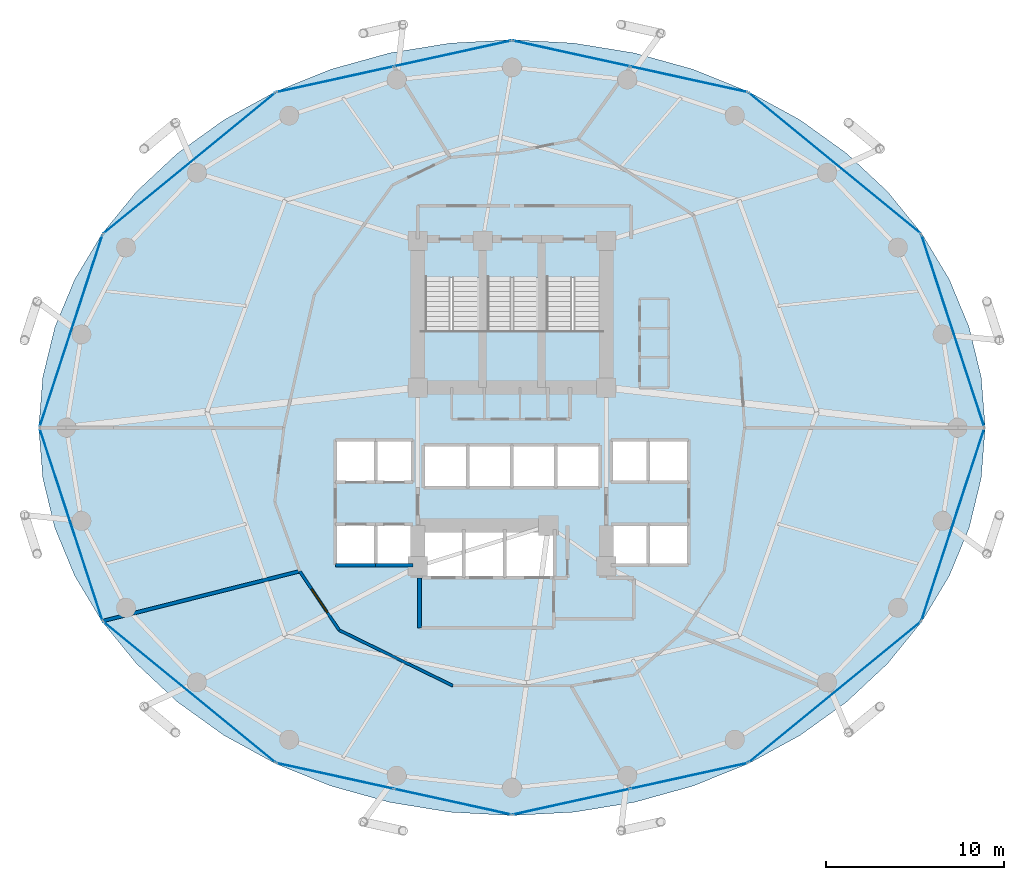
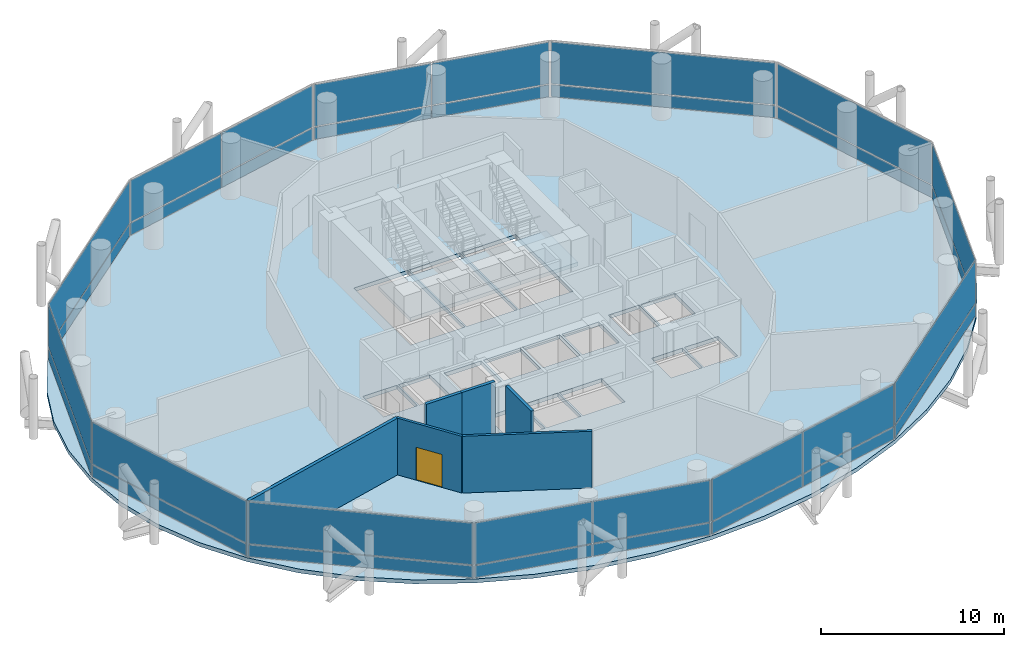
# One storey, part 20 of 24: 32 plates, 6 walls, 4 slabs, 1 door, 1 opening, 15 elements without a shape of their own.
"""IFC4 building model written with IfcOpenShell, lengths in metres."""

from ifc_helpers import new_model, si_unit, direction, frame, frame_2d, origin, origin_2d, place, context, subcontext, project, spatial, polyline, rectangle, outline, extrude, material, layer, layer_set, type_object, element, fill, aggregate, save


model = new_model("IFC4")

# Units and contexts
model_context = context("Model", 3, precision=1e-05, world=origin(), true_north=direction((0.0, 1.0)))
body_context = subcontext(model_context, "Body", "Model", "MODEL_VIEW")
ifc_project = project(units=[si_unit("LENGTHUNIT", "METRE"), si_unit("AREAUNIT", "SQUARE_METRE"), si_unit("VOLUMEUNIT", "CUBIC_METRE"), si_unit("PLANEANGLEUNIT", "RADIAN"), si_unit("MASSUNIT", "GRAM", prefix="KILO")], contexts=[model_context])

# Site, building, storey
site_placement = place(None, origin())
site = spatial("IfcSite", under=ifc_project, at=site_placement, CompositionType="ELEMENT")
building_placement = place(site_placement, origin())
building = spatial("IfcBuilding", under=site, at=building_placement, Name="Nuhasar Tower", CompositionType="ELEMENT")
storey_placement = place(building_placement, frame((0.0, 0.0, 25.050048828125)))
storey = spatial("IfcBuildingStorey", under=building, at=storey_placement, Name="L05", CompositionType="ELEMENT", Elevation=25.050048828125)

# Curtain wall, plate
ifc_material_1 = material(Name="Aluminium 6063-T6", Category="aluminium")
ifc_layer_1 = layer(ifc_material_1, 0.199951171875)
ifc_layer_set_1 = layer_set([ifc_layer_1], Name="Aluminium 6063-T6")
curtain_wall_type = type_object("IfcCurtainWallType", Name="CW-Z1-OFF", PredefinedType="NOTDEFINED", material=ifc_layer_set_1)
curtain_wall_1_placement = place(storey_placement, origin())
curtain_wall_1 = element("IfcCurtainWall", 1, at=curtain_wall_1_placement, inside=storey, type_object=curtain_wall_type, Name="L05 Unitised Curtain Wall 01", PredefinedType="NOTDEFINED")
ifc_material_2 = material(Name="Glass Double Low-E", Category="glass")
ifc_layer_2 = layer(ifc_material_2, 0.028076171875)
ifc_layer_set_2 = layer_set([ifc_layer_2], Name="Glass Double Low-E")
plate_type_1 = type_object("IfcPlateType", Name="CW-PANEL-GLZ", PredefinedType="CURTAIN_PANEL", material=ifc_layer_set_2)
plate_1_placement = place(storey_placement, frame((63.781005859375, 32.239990234375, 0.932373046875), z_axis=(0.0, 0.0, 1.0), x_axis=(-0.310823849997, 0.950467534571, 0.0)))
plate_1 = element("IfcPlate", 2, at=plate_1_placement, type_object=plate_type_1, Name="CW-Z1 panel 1.2", PredefinedType="CURTAIN_PANEL", context=body_context, shape_type="SweptSolid", body=[
    extrude(rectangle(XDim=11.31689453125, YDim=0.028076171875, at=origin_2d()), origin(), (0.0, 0.0, 1.0), 2.79248046875),
])

curtain_wall_2_placement = place(storey_placement, origin())
curtain_wall_2 = element("IfcCurtainWall", 3, at=curtain_wall_2_placement, inside=storey, type_object=curtain_wall_type, Name="L05 Unitised Curtain Wall 02", PredefinedType="NOTDEFINED")
plate_2_placement = place(storey_placement, frame((57.14111328125, 41.66259765625, 0.932373046875), z_axis=(0.0, 0.0, 1.0), x_axis=(-0.773542364946, 0.633744593376, 0.0)))
plate_2 = element("IfcPlate", 4, at=plate_2_placement, type_object=plate_type_1, Name="CW-Z1 panel 1.2", PredefinedType="CURTAIN_PANEL", context=body_context, shape_type="SweptSolid", body=[
    extrude(rectangle(XDim=12.438232421875, YDim=0.028076171875, at=origin_2d()), origin(), (0.0, 0.0, 1.0), 2.79248046875),
])

# Curtain wall, plates
curtain_wall_3_placement = place(storey_placement, origin())
curtain_wall_3 = element("IfcCurtainWall", 5, at=curtain_wall_3_placement, inside=storey, type_object=curtain_wall_type, Name="L05 Unitised Curtain Wall 03", PredefinedType="NOTDEFINED")
plate_3_placement = place(storey_placement, frame((48.944091796875, 46.377197265625, 0.932373046875), z_axis=(0.0, 0.0, 1.0), x_axis=(-0.976746221544, 0.214398737637, 0.0)))
plate_3 = element("IfcPlate", 6, at=plate_3_placement, type_object=plate_type_1, Name="CW-Z1 panel 1.2", PredefinedType="CURTAIN_PANEL", context=body_context, shape_type="SweptSolid", body=[
    extrude(rectangle(XDim=6.70068359375, YDim=0.028076171875, at=origin_2d()), origin(), (0.0, 0.0, 1.0), 2.79248046875),
])
plate_4_placement = place(storey_placement, frame((42.3359375, 47.827880859375, 0.932373046875), z_axis=(0.0, 0.0, 1.0), x_axis=(-0.976746221544, 0.214398737637, 0.0)))
plate_4 = element("IfcPlate", 7, at=plate_4_placement, type_object=plate_type_1, Name="CW-Z1 panel 2.2", PredefinedType="CURTAIN_PANEL", context=body_context, shape_type="SweptSolid", body=[
    extrude(rectangle(XDim=6.70068359375, YDim=0.028076171875, at=origin_2d()), origin(), (0.0, 0.0, 1.0), 2.79248046875),
])

curtain_wall_4_placement = place(storey_placement, origin())
curtain_wall_4 = element("IfcCurtainWall", 8, at=curtain_wall_4_placement, inside=storey, type_object=curtain_wall_type, Name="L05 Unitised Curtain Wall 04", PredefinedType="NOTDEFINED")
plate_5_placement = place(storey_placement, frame((35.6640625, 47.827880859375, 0.932373046875), z_axis=(0.0, 0.0, 1.0), x_axis=(-0.976746221544, -0.214398737637, 0.0)))
plate_5 = element("IfcPlate", 9, at=plate_5_placement, type_object=plate_type_1, Name="CW-Z1 panel 1.2", PredefinedType="CURTAIN_PANEL", context=body_context, shape_type="SweptSolid", body=[
    extrude(rectangle(XDim=6.70068359375, YDim=0.028076171875, at=origin_2d()), origin(), (0.0, 0.0, 1.0), 2.79248046875),
])
plate_6_placement = place(storey_placement, frame((29.055908203125, 46.377197265625, 0.932373046875), z_axis=(0.0, 0.0, 1.0), x_axis=(-0.976746221544, -0.214398737637, 0.0)))
plate_6 = element("IfcPlate", 10, at=plate_6_placement, type_object=plate_type_1, Name="CW-Z1 panel 2.2", PredefinedType="CURTAIN_PANEL", context=body_context, shape_type="SweptSolid", body=[
    extrude(rectangle(XDim=6.70068359375, YDim=0.028076171875, at=origin_2d()), origin(), (0.0, 0.0, 1.0), 2.79248046875),
])

# Curtain wall, plate
curtain_wall_5_placement = place(storey_placement, origin())
curtain_wall_5 = element("IfcCurtainWall", 11, at=curtain_wall_5_placement, inside=storey, type_object=curtain_wall_type, Name="L05 Unitised Curtain Wall 05", PredefinedType="NOTDEFINED")
plate_7_placement = place(storey_placement, frame((20.85888671875, 41.66259765625, 0.932373046875), z_axis=(0.0, 0.0, 1.0), x_axis=(-0.773542364946, -0.633744593376, 0.0)))
plate_7 = element("IfcPlate", 12, at=plate_7_placement, type_object=plate_type_1, Name="CW-Z1 panel 1.2", PredefinedType="CURTAIN_PANEL", context=body_context, shape_type="SweptSolid", body=[
    extrude(rectangle(XDim=12.438232421875, YDim=0.028076171875, at=origin_2d()), origin(), (0.0, 0.0, 1.0), 2.79248046875),
])

curtain_wall_6_placement = place(storey_placement, origin())
curtain_wall_6 = element("IfcCurtainWall", 13, at=curtain_wall_6_placement, inside=storey, type_object=curtain_wall_type, Name="L05 Unitised Curtain Wall 06", PredefinedType="NOTDEFINED")
plate_8_placement = place(storey_placement, frame((14.218994140625, 32.239990234375, 0.932373046875), z_axis=(0.0, 0.0, 1.0), x_axis=(-0.310823849997, -0.950467534571, 0.0)))
plate_8 = element("IfcPlate", 14, at=plate_8_placement, type_object=plate_type_1, Name="CW-Z1 panel 1.2", PredefinedType="CURTAIN_PANEL", context=body_context, shape_type="SweptSolid", body=[
    extrude(rectangle(XDim=11.31689453125, YDim=0.028076171875, at=origin_2d()), origin(), (0.0, 0.0, 1.0), 2.79248046875),
])

curtain_wall_7_placement = place(storey_placement, origin())
curtain_wall_7 = element("IfcCurtainWall", 15, at=curtain_wall_7_placement, inside=storey, type_object=curtain_wall_type, Name="L05 Unitised Curtain Wall 07", PredefinedType="NOTDEFINED")
plate_9_placement = place(storey_placement, frame((14.218994140625, 21.360107421875, 0.932373046875), z_axis=(0.0, 0.0, 1.0), x_axis=(0.310823849997, -0.950467534571, 0.0)))
plate_9 = element("IfcPlate", 16, at=plate_9_placement, type_object=plate_type_1, Name="CW-Z1 panel 1.2", PredefinedType="CURTAIN_PANEL", context=body_context, shape_type="SweptSolid", body=[
    extrude(rectangle(XDim=11.31689453125, YDim=0.028076171875, at=origin_2d()), origin(), (0.0, 0.0, 1.0), 2.79248046875),
])

curtain_wall_8_placement = place(storey_placement, origin())
curtain_wall_8 = element("IfcCurtainWall", 17, at=curtain_wall_8_placement, inside=storey, type_object=curtain_wall_type, Name="L05 Unitised Curtain Wall 08", PredefinedType="NOTDEFINED")
plate_10_placement = place(storey_placement, frame((20.85888671875, 11.9375, 0.932373046875), z_axis=(0.0, 0.0, 1.0), x_axis=(0.773542364946, -0.633744593376, 0.0)))
plate_10 = element("IfcPlate", 18, at=plate_10_placement, type_object=plate_type_1, Name="CW-Z1 panel 1.2", PredefinedType="CURTAIN_PANEL", context=body_context, shape_type="SweptSolid", body=[
    extrude(rectangle(XDim=12.438232421875, YDim=0.028076171875, at=origin_2d()), origin(), (0.0, 0.0, 1.0), 2.79248046875),
])

# Curtain wall, plates
curtain_wall_9_placement = place(storey_placement, origin())
curtain_wall_9 = element("IfcCurtainWall", 19, at=curtain_wall_9_placement, inside=storey, type_object=curtain_wall_type, Name="L05 Unitised Curtain Wall 09", PredefinedType="NOTDEFINED")
plate_11_placement = place(storey_placement, frame((29.055908203125, 7.22265625, 0.932373046875), z_axis=(0.0, 0.0, 1.0), x_axis=(0.976746221544, -0.214398737637, 0.0)))
plate_11 = element("IfcPlate", 20, at=plate_11_placement, type_object=plate_type_1, Name="CW-Z1 panel 1.2", PredefinedType="CURTAIN_PANEL", context=body_context, shape_type="SweptSolid", body=[
    extrude(rectangle(XDim=6.70068359375, YDim=0.028076171875, at=origin_2d()), origin(), (0.0, 0.0, 1.0), 2.79248046875),
])
plate_12_placement = place(storey_placement, frame((35.6640625, 5.772216796875, 0.932373046875), z_axis=(0.0, 0.0, 1.0), x_axis=(0.976746221544, -0.214398737637, 0.0)))
plate_12 = element("IfcPlate", 21, at=plate_12_placement, type_object=plate_type_1, Name="CW-Z1 panel 2.2", PredefinedType="CURTAIN_PANEL", context=body_context, shape_type="SweptSolid", body=[
    extrude(rectangle(XDim=6.70068359375, YDim=0.028076171875, at=origin_2d()), origin(), (0.0, 0.0, 1.0), 2.79248046875),
])

curtain_wall_10_placement = place(storey_placement, origin())
curtain_wall_10 = element("IfcCurtainWall", 22, at=curtain_wall_10_placement, inside=storey, type_object=curtain_wall_type, Name="L05 Unitised Curtain Wall 10", PredefinedType="NOTDEFINED")
plate_13_placement = place(storey_placement, frame((42.3359375, 5.772216796875, 0.932373046875), z_axis=(0.0, 0.0, 1.0), x_axis=(0.976746221544, 0.214398737637, 0.0)))
plate_13 = element("IfcPlate", 23, at=plate_13_placement, type_object=plate_type_1, Name="CW-Z1 panel 1.2", PredefinedType="CURTAIN_PANEL", context=body_context, shape_type="SweptSolid", body=[
    extrude(rectangle(XDim=6.70068359375, YDim=0.028076171875, at=origin_2d()), origin(), (0.0, 0.0, 1.0), 2.79248046875),
])
plate_14_placement = place(storey_placement, frame((48.944091796875, 7.22265625, 0.932373046875), z_axis=(0.0, 0.0, 1.0), x_axis=(0.976746221544, 0.214398737637, 0.0)))
plate_14 = element("IfcPlate", 24, at=plate_14_placement, type_object=plate_type_1, Name="CW-Z1 panel 2.2", PredefinedType="CURTAIN_PANEL", context=body_context, shape_type="SweptSolid", body=[
    extrude(rectangle(XDim=6.70068359375, YDim=0.028076171875, at=origin_2d()), origin(), (0.0, 0.0, 1.0), 2.79248046875),
])

# Curtain wall, plate
curtain_wall_11_placement = place(storey_placement, origin())
curtain_wall_11 = element("IfcCurtainWall", 25, at=curtain_wall_11_placement, inside=storey, type_object=curtain_wall_type, Name="L05 Unitised Curtain Wall 11", PredefinedType="NOTDEFINED")
plate_15_placement = place(storey_placement, frame((57.14111328125, 11.9375, 0.932373046875), z_axis=(0.0, 0.0, 1.0), x_axis=(0.773542364946, 0.633744593376, 0.0)))
plate_15 = element("IfcPlate", 26, at=plate_15_placement, type_object=plate_type_1, Name="CW-Z1 panel 1.2", PredefinedType="CURTAIN_PANEL", context=body_context, shape_type="SweptSolid", body=[
    extrude(rectangle(XDim=12.438232421875, YDim=0.028076171875, at=origin_2d()), origin(), (0.0, 0.0, 1.0), 2.79248046875),
])

curtain_wall_12_placement = place(storey_placement, origin())
curtain_wall_12 = element("IfcCurtainWall", 27, at=curtain_wall_12_placement, inside=storey, type_object=curtain_wall_type, Name="L05 Unitised Curtain Wall 12", PredefinedType="NOTDEFINED")
plate_16_placement = place(storey_placement, frame((63.781005859375, 21.360107421875, 0.932373046875), z_axis=(0.0, 0.0, 1.0), x_axis=(0.310823849997, 0.950467534571, 0.0)))
plate_16 = element("IfcPlate", 28, at=plate_16_placement, type_object=plate_type_1, Name="CW-Z1 panel 1.2", PredefinedType="CURTAIN_PANEL", context=body_context, shape_type="SweptSolid", body=[
    extrude(rectangle(XDim=11.31689453125, YDim=0.028076171875, at=origin_2d()), origin(), (0.0, 0.0, 1.0), 2.79248046875),
])

# Plate
ifc_material_3 = material(Name="Glass Spandrel", Category="glass")
ifc_layer_3 = layer(ifc_material_3, 0.035888671875)
ifc_layer_set_3 = layer_set([ifc_layer_3], Name="Glass Spandrel")
plate_type_2 = type_object("IfcPlateType", Name="CW-PANEL-SPN", PredefinedType="CURTAIN_PANEL", material=ifc_layer_set_3)
plate_17_placement = place(storey_placement, frame((63.781005859375, 32.239990234375, 0.06494140625), z_axis=(0.0, 0.0, 1.0), x_axis=(-0.310823849997, 0.950467534571, 0.0)))
plate_17 = element("IfcPlate", 29, at=plate_17_placement, type_object=plate_type_2, Name="CW-Z1 panel 1.1", PredefinedType="CURTAIN_PANEL", context=body_context, shape_type="SweptSolid", body=[
    extrude(rectangle(XDim=11.31689453125, YDim=0.035888671875, at=origin_2d()), origin(), (0.0, 0.0, 1.0), 0.802490234375),
])

aggregate(curtain_wall_1, [plate_17, plate_1])

plate_18_placement = place(storey_placement, frame((57.14111328125, 41.66259765625, 0.06494140625), z_axis=(0.0, 0.0, 1.0), x_axis=(-0.773542364946, 0.633744593376, 0.0)))
plate_18 = element("IfcPlate", 30, at=plate_18_placement, type_object=plate_type_2, Name="CW-Z1 panel 1.1", PredefinedType="CURTAIN_PANEL", context=body_context, shape_type="SweptSolid", body=[
    extrude(rectangle(XDim=12.438232421875, YDim=0.035888671875, at=origin_2d()), origin(), (0.0, 0.0, 1.0), 0.802490234375),
])

aggregate(curtain_wall_2, [plate_18, plate_2])

plate_19_placement = place(storey_placement, frame((48.944091796875, 46.377197265625, 0.06494140625), z_axis=(0.0, 0.0, 1.0), x_axis=(-0.976746221544, 0.214398737637, 0.0)))
plate_19 = element("IfcPlate", 31, at=plate_19_placement, type_object=plate_type_2, Name="CW-Z1 panel 1.1", PredefinedType="CURTAIN_PANEL", context=body_context, shape_type="SweptSolid", body=[
    extrude(rectangle(XDim=6.70068359375, YDim=0.035888671875, at=origin_2d()), origin(), (0.0, 0.0, 1.0), 0.802490234375),
])

plate_20_placement = place(storey_placement, frame((42.3359375, 47.827880859375, 0.06494140625), z_axis=(0.0, 0.0, 1.0), x_axis=(-0.976746221544, 0.214398737637, 0.0)))
plate_20 = element("IfcPlate", 32, at=plate_20_placement, type_object=plate_type_2, Name="CW-Z1 panel 2.1", PredefinedType="CURTAIN_PANEL", context=body_context, shape_type="SweptSolid", body=[
    extrude(rectangle(XDim=6.70068359375, YDim=0.035888671875, at=origin_2d()), origin(), (0.0, 0.0, 1.0), 0.802490234375),
])

aggregate(curtain_wall_3, [plate_19, plate_3, plate_20, plate_4])

plate_21_placement = place(storey_placement, frame((35.6640625, 47.827880859375, 0.06494140625), z_axis=(0.0, 0.0, 1.0), x_axis=(-0.976746221544, -0.214398737637, 0.0)))
plate_21 = element("IfcPlate", 33, at=plate_21_placement, type_object=plate_type_2, Name="CW-Z1 panel 1.1", PredefinedType="CURTAIN_PANEL", context=body_context, shape_type="SweptSolid", body=[
    extrude(rectangle(XDim=6.70068359375, YDim=0.035888671875, at=origin_2d()), origin(), (0.0, 0.0, 1.0), 0.802490234375),
])

plate_22_placement = place(storey_placement, frame((29.055908203125, 46.377197265625, 0.06494140625), z_axis=(0.0, 0.0, 1.0), x_axis=(-0.976746221544, -0.214398737637, 0.0)))
plate_22 = element("IfcPlate", 34, at=plate_22_placement, type_object=plate_type_2, Name="CW-Z1 panel 2.1", PredefinedType="CURTAIN_PANEL", context=body_context, shape_type="SweptSolid", body=[
    extrude(rectangle(XDim=6.70068359375, YDim=0.035888671875, at=origin_2d()), origin(), (0.0, 0.0, 1.0), 0.802490234375),
])

aggregate(curtain_wall_4, [plate_21, plate_5, plate_22, plate_6])

plate_23_placement = place(storey_placement, frame((20.85888671875, 41.66259765625, 0.06494140625), z_axis=(0.0, 0.0, 1.0), x_axis=(-0.773542364946, -0.633744593376, 0.0)))
plate_23 = element("IfcPlate", 35, at=plate_23_placement, type_object=plate_type_2, Name="CW-Z1 panel 1.1", PredefinedType="CURTAIN_PANEL", context=body_context, shape_type="SweptSolid", body=[
    extrude(rectangle(XDim=12.438232421875, YDim=0.035888671875, at=origin_2d()), origin(), (0.0, 0.0, 1.0), 0.802490234375),
])

aggregate(curtain_wall_5, [plate_23, plate_7])

plate_24_placement = place(storey_placement, frame((14.218994140625, 32.239990234375, 0.06494140625), z_axis=(0.0, 0.0, 1.0), x_axis=(-0.310823849997, -0.950467534571, 0.0)))
plate_24 = element("IfcPlate", 36, at=plate_24_placement, type_object=plate_type_2, Name="CW-Z1 panel 1.1", PredefinedType="CURTAIN_PANEL", context=body_context, shape_type="SweptSolid", body=[
    extrude(rectangle(XDim=11.31689453125, YDim=0.035888671875, at=origin_2d()), origin(), (0.0, 0.0, 1.0), 0.802490234375),
])

aggregate(curtain_wall_6, [plate_24, plate_8])

plate_25_placement = place(storey_placement, frame((14.218994140625, 21.360107421875, 0.06494140625), z_axis=(0.0, 0.0, 1.0), x_axis=(0.310823849997, -0.950467534571, 0.0)))
plate_25 = element("IfcPlate", 37, at=plate_25_placement, type_object=plate_type_2, Name="CW-Z1 panel 1.1", PredefinedType="CURTAIN_PANEL", context=body_context, shape_type="SweptSolid", body=[
    extrude(rectangle(XDim=11.31689453125, YDim=0.035888671875, at=origin_2d()), origin(), (0.0, 0.0, 1.0), 0.802490234375),
])

aggregate(curtain_wall_7, [plate_25, plate_9])

plate_26_placement = place(storey_placement, frame((20.85888671875, 11.9375, 0.06494140625), z_axis=(0.0, 0.0, 1.0), x_axis=(0.773542364946, -0.633744593376, 0.0)))
plate_26 = element("IfcPlate", 38, at=plate_26_placement, type_object=plate_type_2, Name="CW-Z1 panel 1.1", PredefinedType="CURTAIN_PANEL", context=body_context, shape_type="SweptSolid", body=[
    extrude(rectangle(XDim=12.438232421875, YDim=0.035888671875, at=origin_2d()), origin(), (0.0, 0.0, 1.0), 0.802490234375),
])

aggregate(curtain_wall_8, [plate_26, plate_10])

plate_27_placement = place(storey_placement, frame((29.055908203125, 7.22265625, 0.06494140625), z_axis=(0.0, 0.0, 1.0), x_axis=(0.976746221544, -0.214398737637, 0.0)))
plate_27 = element("IfcPlate", 39, at=plate_27_placement, type_object=plate_type_2, Name="CW-Z1 panel 1.1", PredefinedType="CURTAIN_PANEL", context=body_context, shape_type="SweptSolid", body=[
    extrude(rectangle(XDim=6.70068359375, YDim=0.035888671875, at=origin_2d()), origin(), (0.0, 0.0, 1.0), 0.802490234375),
])

plate_28_placement = place(storey_placement, frame((35.6640625, 5.772216796875, 0.06494140625), z_axis=(0.0, 0.0, 1.0), x_axis=(0.976746221544, -0.214398737637, 0.0)))
plate_28 = element("IfcPlate", 40, at=plate_28_placement, type_object=plate_type_2, Name="CW-Z1 panel 2.1", PredefinedType="CURTAIN_PANEL", context=body_context, shape_type="SweptSolid", body=[
    extrude(rectangle(XDim=6.70068359375, YDim=0.035888671875, at=origin_2d()), origin(), (0.0, 0.0, 1.0), 0.802490234375),
])

aggregate(curtain_wall_9, [plate_27, plate_11, plate_28, plate_12])

plate_29_placement = place(storey_placement, frame((42.3359375, 5.772216796875, 0.06494140625), z_axis=(0.0, 0.0, 1.0), x_axis=(0.976746221544, 0.214398737637, 0.0)))
plate_29 = element("IfcPlate", 41, at=plate_29_placement, type_object=plate_type_2, Name="CW-Z1 panel 1.1", PredefinedType="CURTAIN_PANEL", context=body_context, shape_type="SweptSolid", body=[
    extrude(rectangle(XDim=6.70068359375, YDim=0.035888671875, at=origin_2d()), origin(), (0.0, 0.0, 1.0), 0.802490234375),
])

plate_30_placement = place(storey_placement, frame((48.944091796875, 7.22265625, 0.06494140625), z_axis=(0.0, 0.0, 1.0), x_axis=(0.976746221544, 0.214398737637, 0.0)))
plate_30 = element("IfcPlate", 42, at=plate_30_placement, type_object=plate_type_2, Name="CW-Z1 panel 2.1", PredefinedType="CURTAIN_PANEL", context=body_context, shape_type="SweptSolid", body=[
    extrude(rectangle(XDim=6.70068359375, YDim=0.035888671875, at=origin_2d()), origin(), (0.0, 0.0, 1.0), 0.802490234375),
])

aggregate(curtain_wall_10, [plate_29, plate_13, plate_30, plate_14])

plate_31_placement = place(storey_placement, frame((57.14111328125, 11.9375, 0.06494140625), z_axis=(0.0, 0.0, 1.0), x_axis=(0.773542364946, 0.633744593376, 0.0)))
plate_31 = element("IfcPlate", 43, at=plate_31_placement, type_object=plate_type_2, Name="CW-Z1 panel 1.1", PredefinedType="CURTAIN_PANEL", context=body_context, shape_type="SweptSolid", body=[
    extrude(rectangle(XDim=12.438232421875, YDim=0.035888671875, at=origin_2d()), origin(), (0.0, 0.0, 1.0), 0.802490234375),
])

aggregate(curtain_wall_11, [plate_31, plate_15])

plate_32_placement = place(storey_placement, frame((63.781005859375, 21.360107421875, 0.06494140625), z_axis=(0.0, 0.0, 1.0), x_axis=(0.310823849997, 0.950467534571, 0.0)))
plate_32 = element("IfcPlate", 44, at=plate_32_placement, type_object=plate_type_2, Name="CW-Z1 panel 1.1", PredefinedType="CURTAIN_PANEL", context=body_context, shape_type="SweptSolid", body=[
    extrude(rectangle(XDim=11.31689453125, YDim=0.035888671875, at=origin_2d()), origin(), (0.0, 0.0, 1.0), 0.802490234375),
])

aggregate(curtain_wall_12, [plate_32, plate_16])

# Stair, slab
ifc_material_4 = material(Name="Concrete C45/55", Category="concrete")
stair_type_1 = type_object("IfcStairType", Name="STR-ST-01-2F-24R-1688", PredefinedType="HALF_TURN_STAIR", material=ifc_material_4)
stair_1_placement = place(storey_placement, origin())
stair_1 = element("IfcStair", 45, at=stair_1_placement, inside=storey, type_object=stair_type_1, Name="L05 Exit Stair ST-01", PredefinedType="HALF_TURN_STAIR")
ifc_layer_4 = layer(ifc_material_4, 0.239990234375)
ifc_layer_set_4 = layer_set([ifc_layer_4], Name="Concrete C45/55")
slab_type_1 = type_object("IfcSlabType", Name="SLB-STAIR-LND-240", PredefinedType="LANDING", material=ifc_layer_set_4)
slab_1_placement = place(storey_placement, frame((0.0, 0.0, 1.784912109375)))
slab_1 = element("IfcSlab", 46, at=slab_1_placement, type_object=slab_type_1, Name="ST-01 landing 1", PredefinedType="LANDING", context=body_context, shape_type="SweptSolid", body=[
    extrude(outline(polyline([(33.699951171875, 28.75), (37.35009765625, 28.75), (37.35009765625, 32.239990234375), (33.699951171875, 32.239990234375), (33.699951171875, 28.75)])), origin(), (0.0, 0.0, 1.0), 0.239990234375),
])
aggregate(stair_1, [slab_1])

stair_type_2 = type_object("IfcStairType", Name="STR-ST-03-2F-24R-1688", PredefinedType="HALF_TURN_STAIR", material=ifc_material_4)
stair_2_placement = place(storey_placement, origin())
stair_2 = element("IfcStair", 47, at=stair_2_placement, inside=storey, type_object=stair_type_2, Name="L05 Exit Stair ST-03", PredefinedType="HALF_TURN_STAIR")
slab_2_placement = place(storey_placement, frame((0.0, 0.0, 1.784912109375)))
slab_2 = element("IfcSlab", 48, at=slab_2_placement, type_object=slab_type_1, Name="ST-03 landing 1", PredefinedType="LANDING", context=body_context, shape_type="SweptSolid", body=[
    extrude(outline(polyline([(37.35009765625, 28.75), (40.64990234375, 28.75), (40.64990234375, 32.239990234375), (37.35009765625, 32.239990234375), (37.35009765625, 28.75)])), origin(), (0.0, 0.0, 1.0), 0.239990234375),
])
aggregate(stair_2, [slab_2])

stair_type_3 = type_object("IfcStairType", Name="STR-ST-02-2F-24R-1688", PredefinedType="HALF_TURN_STAIR", material=ifc_material_4)
stair_3_placement = place(storey_placement, origin())
stair_3 = element("IfcStair", 49, at=stair_3_placement, inside=storey, type_object=stair_type_3, Name="L05 Exit Stair ST-02", PredefinedType="HALF_TURN_STAIR")
slab_3_placement = place(storey_placement, frame((0.0, 0.0, 1.784912109375)))
slab_3 = element("IfcSlab", 50, at=slab_3_placement, type_object=slab_type_1, Name="ST-02 landing 1", PredefinedType="LANDING", context=body_context, shape_type="SweptSolid", body=[
    extrude(outline(polyline([(40.64990234375, 28.75), (44.300048828125, 28.75), (44.300048828125, 32.239990234375), (40.64990234375, 32.239990234375), (40.64990234375, 28.75)])), origin(), (0.0, 0.0, 1.0), 0.239990234375),
])
aggregate(stair_3, [slab_3])

# Slab
ifc_material_5 = material(Name="Concrete C50/60", Category="concrete")
ifc_layer_5 = layer(ifc_material_5, 0.260009765625)
ifc_layer_set_5 = layer_set([ifc_layer_5], Name="Concrete C50/60")
slab_type_2 = type_object("IfcSlabType", Name="SLB-Z1A-260", PredefinedType="FLOOR", material=ifc_layer_set_5)
slab_4_placement = place(storey_placement, frame((0.0, 0.0, -0.260009765625)))
element("IfcSlab", 51, at=slab_4_placement, inside=storey, type_object=slab_type_2, Name="L05 Structural Slab", PredefinedType="FLOOR", context=body_context, shape_type="SweptSolid", body=[
    extrude(outline(polyline([(65.60009765625, 26.800048828125), (65.3720703125, 29.64501953125), (64.694091796875, 32.44189453125), (63.574951171875, 35.14208984375), (62.035888671875, 37.699951171875), (60.10302734375, 40.071044921875), (57.80908203125, 42.215087890625), (55.193115234375, 44.094970703125), (52.300048828125, 45.678955078125), (49.178955078125, 46.94091796875), (45.885009765625, 47.85693359375), (42.471923828125, 48.4130859375), (39.0, 48.60009765625), (35.528076171875, 48.4130859375), (32.114990234375, 47.85693359375), (28.821044921875, 46.94091796875), (25.699951171875, 45.678955078125), (22.806884765625, 44.094970703125), (20.19091796875, 42.215087890625), (17.89697265625, 40.071044921875), (15.964111328125, 37.699951171875), (14.425048828125, 35.14208984375), (13.305908203125, 32.44189453125), (12.6279296875, 29.64501953125), (12.39990234375, 26.800048828125), (12.6279296875, 23.955078125), (13.305908203125, 21.157958984375), (14.425048828125, 18.4580078125), (15.964111328125, 15.89990234375), (17.89697265625, 13.529052734375), (20.19091796875, 11.385009765625), (22.806884765625, 9.5048828125), (25.699951171875, 7.9208984375), (28.821044921875, 6.658935546875), (32.114990234375, 5.742919921875), (35.528076171875, 5.18701171875), (39.0, 5.0), (42.471923828125, 5.18701171875), (45.885009765625, 5.742919921875), (49.178955078125, 6.658935546875), (52.300048828125, 7.9208984375), (55.193115234375, 9.5048828125), (57.80908203125, 11.385009765625), (60.10302734375, 13.529052734375), (62.035888671875, 15.89990234375), (63.574951171875, 18.4580078125), (64.694091796875, 21.157958984375), (65.3720703125, 23.955078125), (65.60009765625, 26.800048828125)]), holes=[polyline([(33.8798828125, 35.25), (37.300048828125, 35.25), (37.300048828125, 29.0), (33.8798828125, 29.0), (33.8798828125, 35.25)]), polyline([(37.39990234375, 35.25), (40.60009765625, 35.25), (40.60009765625, 29.0), (37.39990234375, 29.0), (37.39990234375, 35.25)]), polyline([(40.699951171875, 35.25), (44.1201171875, 35.25), (44.1201171875, 29.0), (40.699951171875, 29.0), (40.699951171875, 35.25)]), polyline([(29.14990234375, 26.050048828125), (31.300048828125, 26.050048828125), (31.300048828125, 23.800048828125), (29.14990234375, 23.800048828125), (29.14990234375, 26.050048828125)]), polyline([(31.39990234375, 26.050048828125), (33.35009765625, 26.050048828125), (33.35009765625, 23.800048828125), (31.39990234375, 23.800048828125), (31.39990234375, 26.050048828125)]), polyline([(29.14990234375, 21.300048828125), (31.300048828125, 21.300048828125), (31.300048828125, 19.14990234375), (29.14990234375, 19.14990234375), (29.14990234375, 21.300048828125)]), polyline([(31.39990234375, 21.300048828125), (33.35009765625, 21.300048828125), (33.35009765625, 19.14990234375), (31.39990234375, 19.14990234375), (31.39990234375, 21.300048828125)]), polyline([(44.64990234375, 26.050048828125), (46.60009765625, 26.050048828125), (46.60009765625, 23.800048828125), (44.64990234375, 23.800048828125), (44.64990234375, 26.050048828125)]), polyline([(46.699951171875, 26.050048828125), (48.85009765625, 26.050048828125), (48.85009765625, 23.800048828125), (46.699951171875, 23.800048828125), (46.699951171875, 26.050048828125)]), polyline([(44.64990234375, 21.300048828125), (46.60009765625, 21.300048828125), (46.60009765625, 19.14990234375), (44.64990234375, 19.14990234375), (44.64990234375, 21.300048828125)]), polyline([(46.699951171875, 21.300048828125), (48.85009765625, 21.300048828125), (48.85009765625, 19.14990234375), (46.699951171875, 19.14990234375), (46.699951171875, 21.300048828125)]), polyline([(34.10009765625, 25.75), (36.43994140625, 25.75), (36.43994140625, 23.5), (34.10009765625, 23.5), (34.10009765625, 25.75)]), polyline([(36.580078125, 25.75), (38.919921875, 25.75), (38.919921875, 23.5), (36.580078125, 23.5), (36.580078125, 25.75)]), polyline([(39.06005859375, 25.75), (41.39990234375, 25.75), (41.39990234375, 23.5), (39.06005859375, 23.5), (39.06005859375, 25.75)]), polyline([(41.5400390625, 25.75), (43.8798828125, 25.75), (43.8798828125, 23.5), (41.5400390625, 23.5), (41.5400390625, 25.75)]), polyline([(34.050048828125, 21.0), (36.25, 21.0), (36.25, 18.449951171875), (34.050048828125, 18.449951171875), (34.050048828125, 21.0)]), polyline([(36.35009765625, 21.0), (38.550048828125, 21.0), (38.550048828125, 18.449951171875), (36.35009765625, 18.449951171875), (36.35009765625, 21.0)]), polyline([(38.64990234375, 21.0), (41.320068359375, 21.0), (41.320068359375, 18.449951171875), (38.64990234375, 18.449951171875), (38.64990234375, 21.0)])]), origin(), (0.0, 0.0, 1.0), 0.260009765625),
])

# Wall, opening, door
ifc_material_6 = material(Name="Gypsum Board", Category="gypsum")
ifc_layer_6 = layer(ifc_material_6, 0.159912109375)
ifc_layer_set_6 = layer_set([ifc_layer_6], Name="Gypsum Board")
wall_type_1 = type_object("IfcWallType", Name="WL-CORR-160", PredefinedType="PARTITIONING", material=ifc_layer_set_6)
wall_1_placement = place(storey_placement, frame((29.285888671875, 15.41796875, 0.0), z_axis=(0.0, 0.0, 1.0), x_axis=(-0.556056751682, 0.831144324958, 0.0)))
wall_1 = element("IfcWall", 52, at=wall_1_placement, inside=storey, type_object=wall_type_1, Name="L05 Interior Partition CORR-28", PredefinedType="PARTITIONING", context=body_context, shape_type="SweptSolid", body=[
    extrude(rectangle(XDim=3.98486328125, YDim=0.159912109375, at=frame_2d((1.992431640625, 0.0))), origin(), (0.0, 0.0, 1.0), 3.7900390625),
])
opening_placement = place(wall_1_placement, frame((1.19189453125, 0.0, 0.0)))
opening = element("IfcOpeningElement", 53, at=opening_placement, cuts=wall_1, Name="Opening DC-01", PredefinedType="OPENING", context=body_context, shape_type="SweptSolid", body=[
    extrude(rectangle(XDim=1.60009765625, YDim=2.199951171875, at=frame_2d((0.800048828125, 1.10009765625))), frame((0.0, 0.08984375, 0.0), z_axis=(0.0, -1.0, 0.0), x_axis=(1.0, 0.0, 0.0)), (0.0, 0.0, 1.0), 0.179931640625),
])
ifc_material_7 = material(Name="Steel S355", Category="steel")
door_type = type_object("IfcDoorType", Name="DR-CORR-FD60-1600", OperationType="DOUBLE_DOOR_SINGLE_SWING", PredefinedType="DOOR", material=ifc_material_7)
door_placement = place(opening_placement, origin())
door = element("IfcDoor", 54, at=door_placement, inside=storey, type_object=door_type, Name="L05 Open-Plan Office South-West Entry Door", OperationType="DOUBLE_DOOR_SINGLE_SWING", OverallHeight=2.199951171875, OverallWidth=1.60009765625, PredefinedType="DOOR", context=body_context, shape_type="SweptSolid", body=[
    extrude(rectangle(XDim=1.60009765625, YDim=2.199951171875, at=frame_2d((0.800048828125, 1.10009765625))), frame((0.0, 0.02490234375, 0.0), z_axis=(0.0, -1.0, 0.0), x_axis=(1.0, 0.0, 0.0)), (0.0, 0.0, 1.0), 0.050048828125),
])
fill(opening, door)

# Walls
wall_2_placement = place(storey_placement, frame((29.285888671875, 15.41796875, 0.0), z_axis=(0.0, 0.0, 1.0), x_axis=(0.898437278598, -0.439101874768, 0.0)))
element("IfcWall", 55, at=wall_2_placement, inside=storey, type_object=wall_type_1, Name="L05 Interior Partition CORR-30", PredefinedType="PARTITIONING", context=body_context, shape_type="SweptSolid", body=[
    extrude(rectangle(XDim=7.119140625, YDim=0.159912109375, at=frame_2d((3.5595703125, 0.0))), origin(), (0.0, 0.0, 1.0), 3.7900390625),
])
ifc_layer_7 = layer(ifc_material_4, 0.199951171875)
ifc_layer_set_7 = layer_set([ifc_layer_7], Name="Concrete C45/55")
wall_type_2 = type_object("IfcWallType", Name="WL-LOBBY-200", PredefinedType="SOLIDWALL", material=ifc_layer_set_7)
wall_3_placement = place(storey_placement, frame((33.800048828125, 15.550048828125, 0.0), z_axis=(0.0, 0.0, 1.0), x_axis=(0.0, 1.0, 0.0)))
element("IfcWall", 56, at=wall_3_placement, inside=storey, type_object=wall_type_2, Name="L05 Interior Partition FFL-W", PredefinedType="SOLIDWALL", context=body_context, shape_type="SweptSolid", body=[
    extrude(rectangle(XDim=2.800048828125, YDim=0.199951171875, at=frame_2d((1.39990234375, 0.0))), origin(), (0.0, 0.0, 1.0), 3.7900390625),
])
ifc_layer_8 = layer(ifc_material_4, 0.199951171875)
ifc_layer_set_8 = layer_set([ifc_layer_8], Name="Concrete C45/55")
wall_type_3 = type_object("IfcWallType", Name="WL-SHAFT-200", PredefinedType="SOLIDWALL", material=ifc_layer_set_8)
wall_4_placement = place(storey_placement, frame((29.070068359375, 19.070068359375, 0.0), z_axis=(0.0, 0.0, 1.0), x_axis=(1.0, 0.0, 0.0)))
element("IfcWall", 57, at=wall_4_placement, inside=storey, type_object=wall_type_3, Name="L05 Interior Partition SHF-PL-L03-S", PredefinedType="SOLIDWALL", context=body_context, shape_type="SweptSolid", body=[
    extrude(rectangle(XDim=2.309814453125, YDim=0.199951171875, at=frame_2d((1.15478515625, 0.0))), origin(), (0.0, 0.0, 1.0), 3.7900390625),
])
wall_5_placement = place(storey_placement, frame((31.320068359375, 19.070068359375, 0.0), z_axis=(0.0, 0.0, 1.0), x_axis=(1.0, 0.0, 0.0)))
element("IfcWall", 58, at=wall_5_placement, inside=storey, type_object=wall_type_3, Name="L05 Interior Partition SHF-PL-L04-S", PredefinedType="SOLIDWALL", context=body_context, shape_type="SweptSolid", body=[
    extrude(rectangle(XDim=2.10986328125, YDim=0.199951171875, at=frame_2d((1.054931640625, 0.0))), origin(), (0.0, 0.0, 1.0), 3.7900390625),
])
ifc_material_8 = material(Name="Concrete C40/50 precast", Category="concrete")
ifc_layer_9 = layer(ifc_material_8, 0.199951171875)
ifc_layer_set_9 = layer_set([ifc_layer_9], Name="Concrete C40/50 precast")
wall_type_4 = type_object("IfcWallType", Name="WL-UNIT-200", PredefinedType="PARTITIONING", material=ifc_layer_set_9)
wall_6_placement = place(storey_placement, frame((27.070068359375, 18.72998046875, 0.0), z_axis=(0.0, 0.0, 1.0), x_axis=(-0.969483223358, -0.245157662797, 0.0)))
element("IfcWall", 59, at=wall_6_placement, inside=storey, type_object=wall_type_4, Name="L05 Interior Partition ORAD-28", PredefinedType="PARTITIONING", context=body_context, shape_type="SweptSolid", body=[
    extrude(rectangle(XDim=11.388671875, YDim=0.199951171875, at=frame_2d((5.6943359375, 0.0))), origin(), (0.0, 0.0, 1.0), 3.7900390625),
])

save(model, "model.ifc")
